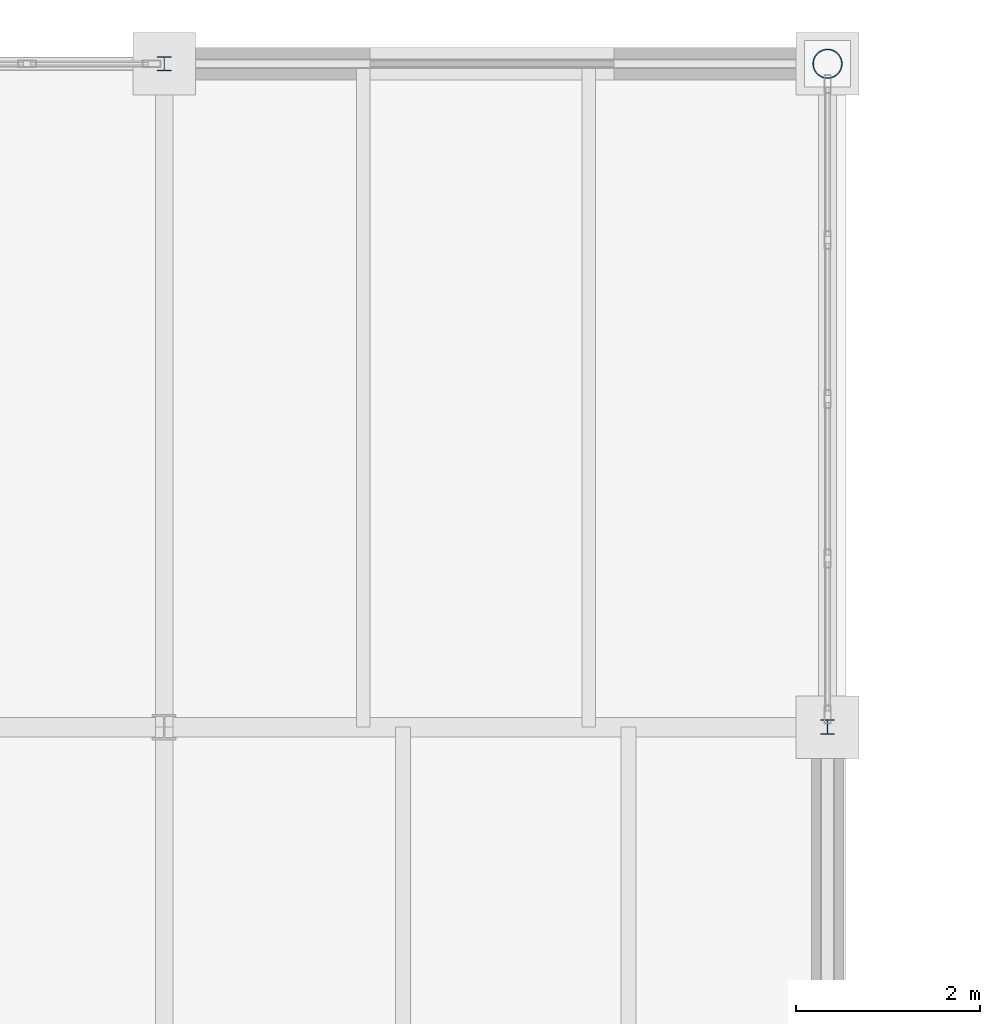
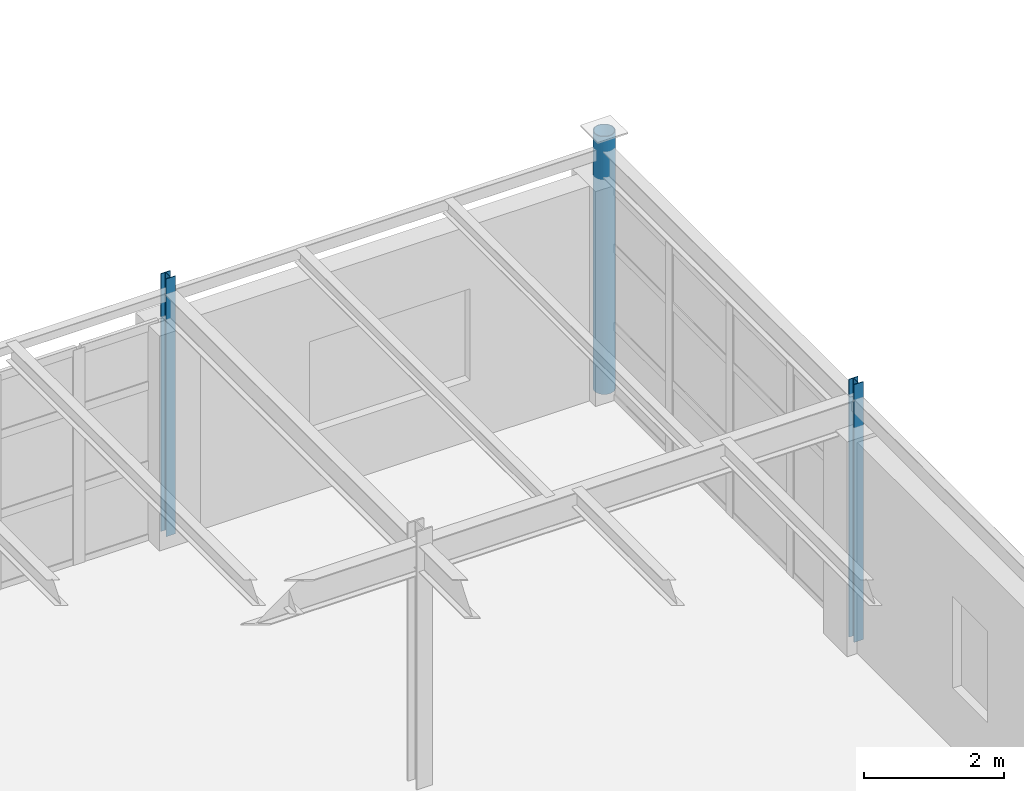
# One storey, part 20 of 137: 3 columns.
"""IFC4 building model written with IfcOpenShell, lengths in metres."""

from ifc_helpers import new_model, si_unit, direction, frame, origin, origin_2d, place, context, subcontext, project, spatial, hollow_circle, i_section, extrude, material, material_profile, profile_set, type_object, element, save


model = new_model("IFC4")

# Units and contexts
model_context = context("Model", 3, precision=1e-05, world=origin(), true_north=direction((0.0, 1.0)))
body_context = subcontext(model_context, "Body", "Model", "MODEL_VIEW")
ifc_project = project(units=[si_unit("LENGTHUNIT", "METRE"), si_unit("AREAUNIT", "SQUARE_METRE"), si_unit("VOLUMEUNIT", "CUBIC_METRE"), si_unit("PLANEANGLEUNIT", "RADIAN"), si_unit("MASSUNIT", "GRAM", prefix="KILO")], contexts=[model_context])

# Site, building, storey
site_placement = place(None, origin())
site = spatial("IfcSite", under=ifc_project, at=site_placement, CompositionType="ELEMENT")
building_placement = place(site_placement, origin())
building = spatial("IfcBuilding", under=site, at=building_placement, Name="Kemerveld Promenade Tramway Depot", CompositionType="ELEMENT")
storey_placement = place(building_placement, frame((0.0, 0.0, 5.39990234375)))
storey = spatial("IfcBuildingStorey", under=building, at=storey_placement, Name="L01", CompositionType="ELEMENT", Elevation=5.39990234375)

# Columns
ifc_material = material(Name="Steel S355", Category="steel")
ifc_material_profile_1 = material_profile(ifc_material, i_section(OverallWidth=0.154296875, OverallDepth=0.161865234375, WebThickness=0.008056640625, FlangeThickness=0.011474609375, FilletRadius=0.007568359375, at=origin_2d()), Name="152x152x37 UC")
ifc_profile_set_1 = profile_set([ifc_material_profile_1], Name="Steel S355")
column_type_1 = type_object("IfcColumnType", Name="COL-S12", PredefinedType="COLUMN", material=ifc_profile_set_1)
for number, where, z_axis, x_axis, name in (
    (1, (151.199951171875, 79.199951171875, 0.0), (0.0, 0.0, 1.0), (1.0, 0.0, 0.0), "COL-L01-22-M"),
    (2, (158.39990234375, 72.0, 0.0), (0.0, 0.0, 1.0), (1.0, 0.0, 0.0), "COL-L01-23-L"),
):
    element("IfcColumn", number, at=place(storey_placement, frame(where, z_axis=z_axis, x_axis=x_axis)), inside=storey, type_object=column_type_1, Name=name, PredefinedType="COLUMN", context=body_context, shape_type="SweptSolid", body=[
        extrude(i_section(OverallWidth=0.154296875, OverallDepth=0.161865234375, WebThickness=0.008056640625, FlangeThickness=0.011474609375, FilletRadius=0.007568359375, at=origin_2d()), origin(), (0.0, 0.0, 1.0), 4.5),
    ])
ifc_material_profile_2 = material_profile(ifc_material, hollow_circle(Radius=0.161865234375, WallThickness=0.012451171875, at=origin_2d()), Name="323.9x12.5 CHS")
ifc_profile_set_2 = profile_set([ifc_material_profile_2], Name="Steel S355")
column_type_2 = type_object("IfcColumnType", Name="COL-S13", PredefinedType="COLUMN", material=ifc_profile_set_2)
column_placement = place(storey_placement, frame((158.39990234375, 79.199951171875, 0.0), z_axis=(0.0, 0.0, 1.0), x_axis=(1.0, 0.0, 0.0)))
element("IfcColumn", 3, at=column_placement, inside=storey, type_object=column_type_2, Name="COL-L01-23-M", PredefinedType="COLUMN", context=body_context, shape_type="SweptSolid", body=[
    extrude(hollow_circle(Radius=0.161865234375, WallThickness=0.012451171875, at=origin_2d()), origin(), (0.0, 0.0, 1.0), 4.5),
])

save(model, "model.ifc")
